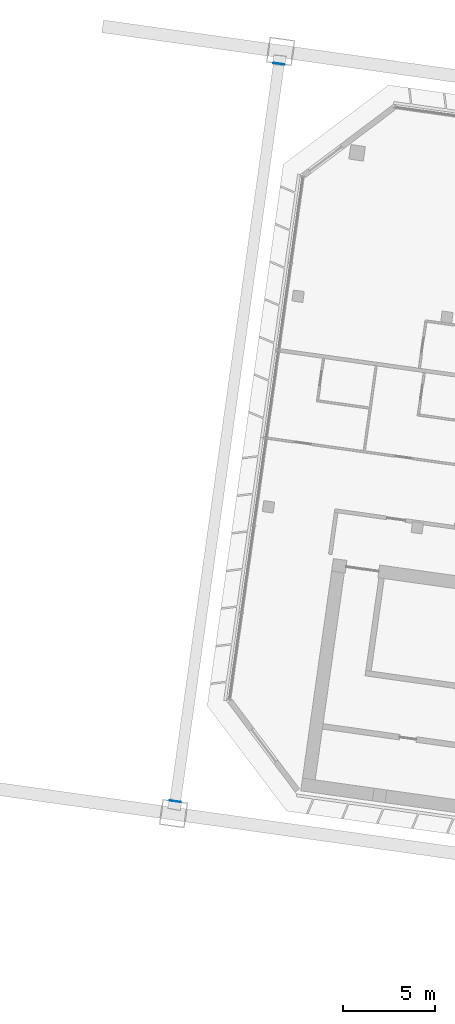
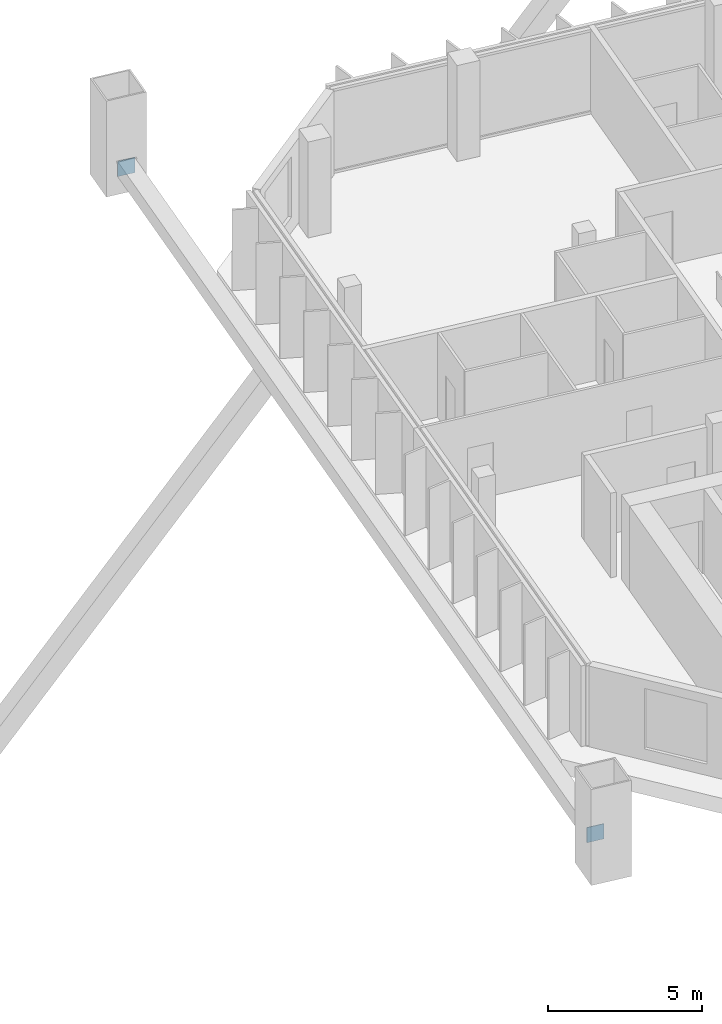
# One storey, part 35 of 38: 2 discrete accessories.
"""IFC4 building model written with IfcOpenShell, lengths in metres."""

from ifc_helpers import new_model, si_unit, direction, frame, origin, origin_2d, place, context, subcontext, project, spatial, rectangle, extrude, material, material_profile, profile_set, type_object, element, save


model = new_model("IFC4")

# Units and contexts
model_context = context("Model", 3, precision=1e-05, world=origin(), true_north=direction((0.0, 1.0)))
body_context = subcontext(model_context, "Body", "Model", "MODEL_VIEW")
ifc_project = project(units=[si_unit("LENGTHUNIT", "METRE"), si_unit("AREAUNIT", "SQUARE_METRE"), si_unit("VOLUMEUNIT", "CUBIC_METRE"), si_unit("PLANEANGLEUNIT", "RADIAN"), si_unit("MASSUNIT", "GRAM", prefix="KILO")], contexts=[model_context])

# Site, building, storey
site_placement = place(None, origin())
site = spatial("IfcSite", under=ifc_project, at=site_placement, CompositionType="ELEMENT")
building_placement = place(site_placement, origin())
building = spatial("IfcBuilding", under=site, at=building_placement, Name="Mirante Cascada Hotel Towers", CompositionType="ELEMENT")
storey_placement = place(building_placement, frame((0.0, 0.0, 184.0)))
storey = spatial("IfcBuildingStorey", under=building, at=storey_placement, Name="L43", CompositionType="ELEMENT", Elevation=184.0)

# Discrete accessories
ifc_material = material(Name="Steel ASTM A572 Gr 50", Category="steel")
ifc_material_profile = material_profile(ifc_material, rectangle(XDim=0.6, YDim=0.6, at=origin_2d()), Name="Connection plate 600x600x25 ASTM A572 Gr 50")
ifc_profile_set = profile_set([ifc_material_profile], Name="Steel ASTM A572 Gr 50")
discrete_accessory_type = type_object("IfcDiscreteAccessoryType", Name="Connection plate 600x600x25 ASTM A572 Gr 50", PredefinedType="BRACKET", material=ifc_profile_set)
for number, where, z_axis, x_axis, name in (
    (1, (-88.2847, -14.3409, 1.0), (0.136366, 0.9906585, 0.0), (-0.9906585, 0.136366, 0.0), "Connection plate NCH"),
    (2, (-82.6288, 25.9036, 1.0), (0.1402989, 0.9901092, 0.0), (-0.9901092, 0.1402989, 0.0), "Connection plate NCH"),
):
    element("IfcDiscreteAccessory", number, at=place(storey_placement, frame(where, z_axis=z_axis, x_axis=x_axis)), inside=storey, type_object=discrete_accessory_type, Name=name, PredefinedType="BRACKET", context=body_context, shape_type="SweptSolid", body=[
        extrude(rectangle(XDim=0.6, YDim=0.6, at=origin_2d()), origin(), (0.0, 0.0, 1.0), 0.0249),
    ])

save(model, "model.ifc")
